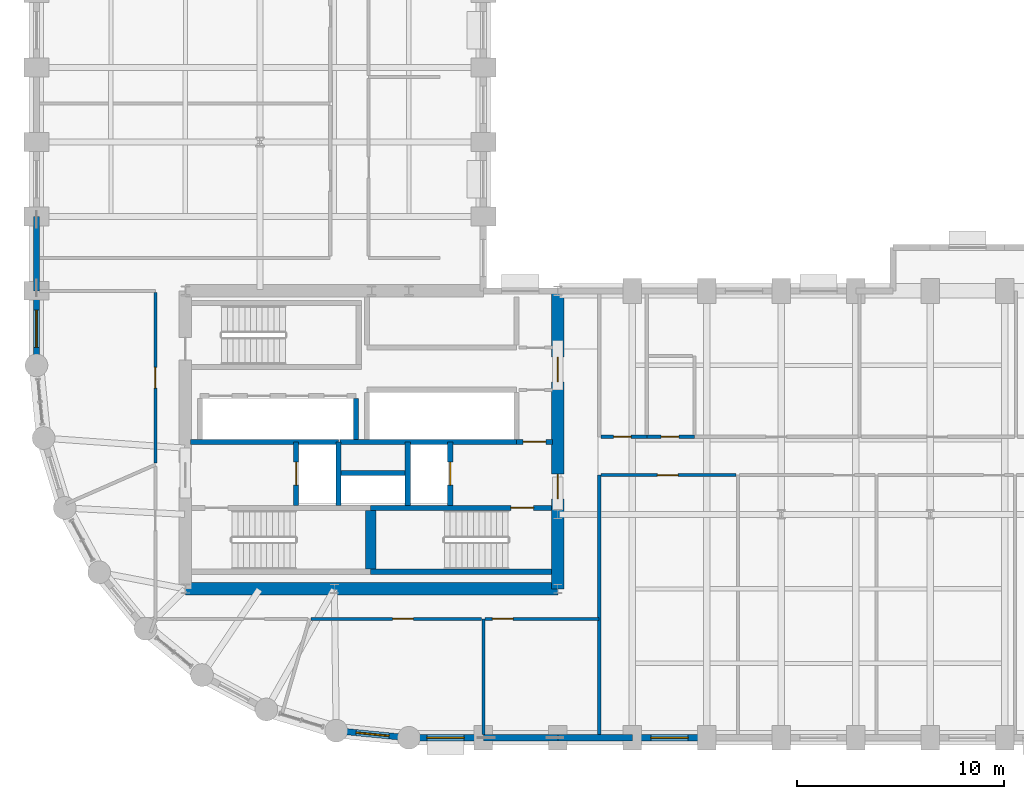
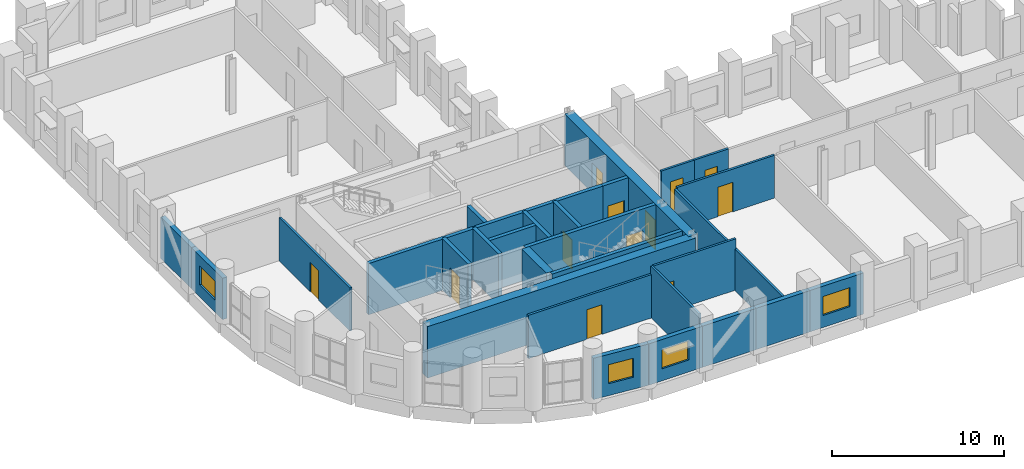
# One storey, part 8 of 13: 29 walls, 12 doors, 4 windows, 16 openings.
"""IFC4 building model written with IfcOpenShell, lengths in metres."""

from ifc_helpers import new_model, si_unit, direction, frame, frame_2d, origin, place, context, subcontext, project, spatial, rectangle, extrude, material, layer, layer_set, type_object, element, fill, save


model = new_model("IFC4")

# Units and contexts
model_context = context("Model", 3, precision=1e-05, world=origin(), true_north=direction((0.0, 1.0)))
body_context = subcontext(model_context, "Body", "Model", "MODEL_VIEW")
ifc_project = project(units=[si_unit("LENGTHUNIT", "METRE"), si_unit("AREAUNIT", "SQUARE_METRE"), si_unit("VOLUMEUNIT", "CUBIC_METRE"), si_unit("PLANEANGLEUNIT", "RADIAN"), si_unit("MASSUNIT", "GRAM", prefix="KILO")], contexts=[model_context])

# Site, building, storey
site_placement = place(None, origin())
site = spatial("IfcSite", under=ifc_project, at=site_placement, CompositionType="ELEMENT")
building_placement = place(site_placement, origin())
building = spatial("IfcBuilding", under=site, at=building_placement, Name="Solnavia Interchange Tower", CompositionType="ELEMENT")
storey_placement = place(building_placement, frame((0.0, 0.0, 39.60009765625)))
storey = spatial("IfcBuildingStorey", under=building, at=storey_placement, Name="L09", CompositionType="ELEMENT", Elevation=39.60009765625)

# Wall, opening, window
ifc_material_1 = material(Name="Concrete C40/50", Category="concrete")
ifc_layer_1 = layer(ifc_material_1, 0.300048828125)
ifc_layer_set_1 = layer_set([ifc_layer_1], Name="Concrete C40/50")
wall_type_1 = type_object("IfcWallType", Name="Wall-ExtSpandrel-300", PredefinedType="STANDARD", material=ifc_layer_set_1)
wall_1_placement = place(storey_placement, frame((28.800048828125, 3.60009765625, 0.0), z_axis=(0.0, 0.0, 1.0), x_axis=(-1.0, 0.0, 0.0)))
wall_1 = element("IfcWall", 1, at=wall_1_placement, inside=storey, type_object=wall_type_1, Name="EXW-L09-01 Exterior precast spandrel wall", PredefinedType="STANDARD", context=body_context, shape_type="SweptSolid", body=[
    extrude(rectangle(XDim=3.60009765625, YDim=0.300048828125, at=frame_2d((1.800048828125, 0.0))), origin(), (0.0, 0.0, 1.0), 2.929931640625),
])
opening_1_placement = place(wall_1_placement, frame((0.925048828125, 0.0, 0.85009765625)))
opening_1 = element("IfcOpeningElement", 2, at=opening_1_placement, cuts=wall_1, Name="Opening WIN-02", PredefinedType="OPENING", context=body_context, shape_type="SweptSolid", body=[
    extrude(rectangle(XDim=1.800048828125, YDim=1.35009765625, at=frame_2d((0.89990234375, 0.675048828125))), frame((0.0, 0.16015625, 0.0), z_axis=(0.0, -1.0, 0.0), x_axis=(1.0, 0.0, 0.0)), (0.0, 0.0, 1.0), 0.320068359375),
])
ifc_material_2 = material(Name="Thermal-Break Aluminium & Low-E Glass", Category="aluminium")
window_type_1 = type_object("IfcWindowType", Name="Window-Ribbon-1800x1350", PartitioningType="SINGLE_PANEL", PredefinedType="WINDOW", material=ifc_material_2)
window_1_placement = place(opening_1_placement, origin())
window_1 = element("IfcWindow", 3, at=window_1_placement, inside=storey, type_object=window_type_1, Name="WIN-L09-01 Facade ribbon window", OverallHeight=1.35009765625, OverallWidth=1.800048828125, PartitioningType="SINGLE_PANEL", PredefinedType="WINDOW", context=body_context, shape_type="SweptSolid", body=[
    extrude(rectangle(XDim=1.800048828125, YDim=1.35009765625, at=frame_2d((0.89990234375, 0.675048828125))), frame((0.0, 0.030029296875, 0.0), z_axis=(0.0, -1.0, 0.0), x_axis=(1.0, 0.0, 0.0)), (0.0, 0.0, 1.0), 0.06005859375),
])
fill(opening_1, window_1)

# Walls
wall_2_placement = place(storey_placement, frame((32.39990234375, 3.60009765625, 0.0), z_axis=(0.0, 0.0, 1.0), x_axis=(-1.0, 0.0, 0.0)))
element("IfcWall", 4, at=wall_2_placement, inside=storey, type_object=wall_type_1, Name="EXW-L09-02 Exterior precast spandrel wall", PredefinedType="STANDARD", context=body_context, shape_type="SweptSolid", body=[
    extrude(rectangle(XDim=3.599853515625, YDim=0.300048828125, at=frame_2d((1.7998046875, 0.0))), origin(), (0.0, 0.0, 1.0), 2.929931640625),
])
wall_3_placement = place(storey_placement, frame((36.0, 3.60009765625, 0.0), z_axis=(0.0, 0.0, 1.0), x_axis=(-1.0, 0.0, 0.0)))
element("IfcWall", 5, at=wall_3_placement, inside=storey, type_object=wall_type_1, Name="EXW-L09-03 Exterior precast spandrel wall", PredefinedType="STANDARD", context=body_context, shape_type="SweptSolid", body=[
    extrude(rectangle(XDim=3.60009765625, YDim=0.300048828125, at=frame_2d((1.800048828125, 0.0))), origin(), (0.0, 0.0, 1.0), 2.929931640625),
])

# Wall, opening, window
wall_4_placement = place(storey_placement, frame((39.60009765625, 3.60009765625, 0.0), z_axis=(0.0, 0.0, 1.0), x_axis=(-1.0, 0.0, 0.0)))
wall_4 = element("IfcWall", 6, at=wall_4_placement, inside=storey, type_object=wall_type_1, Name="EXW-L09-04 Exterior precast spandrel wall", PredefinedType="STANDARD", context=body_context, shape_type="SweptSolid", body=[
    extrude(rectangle(XDim=3.60009765625, YDim=0.300048828125, at=frame_2d((1.800048828125, 0.0))), origin(), (0.0, 0.0, 1.0), 2.929931640625),
])
opening_2_placement = place(wall_4_placement, frame((0.89990234375, 0.0, 0.85009765625)))
opening_2 = element("IfcOpeningElement", 7, at=opening_2_placement, cuts=wall_4, Name="Opening WIN-02", PredefinedType="OPENING", context=body_context, shape_type="SweptSolid", body=[
    extrude(rectangle(XDim=1.800048828125, YDim=1.35009765625, at=frame_2d((0.89990234375, 0.675048828125))), frame((0.0, 0.16015625, 0.0), z_axis=(0.0, -1.0, 0.0), x_axis=(1.0, 0.0, 0.0)), (0.0, 0.0, 1.0), 0.320068359375),
])
window_2_placement = place(opening_2_placement, origin())
window_2 = element("IfcWindow", 8, at=window_2_placement, inside=storey, type_object=window_type_1, Name="WIN-L09-04 Facade ribbon window", OverallHeight=1.35009765625, OverallWidth=1.800048828125, PartitioningType="SINGLE_PANEL", PredefinedType="WINDOW", context=body_context, shape_type="SweptSolid", body=[
    extrude(rectangle(XDim=1.800048828125, YDim=1.35009765625, at=frame_2d((0.89990234375, 0.675048828125))), frame((0.0, 0.030029296875, 0.0), z_axis=(0.0, -1.0, 0.0), x_axis=(1.0, 0.0, 0.0)), (0.0, 0.0, 1.0), 0.06005859375),
])
fill(opening_2, window_2)

# Wall
wall_5_placement = place(storey_placement, frame((7.199951171875, 25.199951171875, 0.0), z_axis=(0.0, 0.0, 1.0), x_axis=(0.0, 1.0, 0.0)))
element("IfcWall", 9, at=wall_5_placement, inside=storey, type_object=wall_type_1, Name="EXW-L09-57 Exterior precast spandrel wall", PredefinedType="STANDARD", context=body_context, shape_type="SweptSolid", body=[
    extrude(rectangle(XDim=3.60009765625, YDim=0.300048828125, at=frame_2d((1.800048828125, 0.0))), origin(), (0.0, 0.0, 1.0), 2.929931640625),
])

# Wall, opening, window
wall_6_placement = place(storey_placement, frame((7.199951171875, 21.60009765625, 0.0), z_axis=(0.0, 0.0, 1.0), x_axis=(0.0, 1.0, 0.0)))
wall_6 = element("IfcWall", 10, at=wall_6_placement, inside=storey, type_object=wall_type_1, Name="EXW-L09-58 Exterior precast spandrel wall", PredefinedType="STANDARD", context=body_context, shape_type="SweptSolid", body=[
    extrude(rectangle(XDim=3.599853515625, YDim=0.300048828125, at=frame_2d((1.7998046875, 0.0))), origin(), (0.0, 0.0, 1.0), 2.929931640625),
])
opening_3_placement = place(wall_6_placement, frame((0.875, 0.0, 0.85009765625)))
opening_3 = element("IfcOpeningElement", 11, at=opening_3_placement, cuts=wall_6, Name="Opening WIN-02", PredefinedType="OPENING", context=body_context, shape_type="SweptSolid", body=[
    extrude(rectangle(XDim=1.800048828125, YDim=1.35009765625, at=frame_2d((0.89990234375, 0.675048828125))), frame((0.0, 0.16015625, 0.0), z_axis=(0.0, -1.0, 0.0), x_axis=(1.0, 0.0, 0.0)), (0.0, 0.0, 1.0), 0.320068359375),
])
window_3_placement = place(opening_3_placement, origin())
window_3 = element("IfcWindow", 12, at=window_3_placement, inside=storey, type_object=window_type_1, Name="WIN-L09-58 Facade ribbon window", OverallHeight=1.35009765625, OverallWidth=1.800048828125, PartitioningType="SINGLE_PANEL", PredefinedType="WINDOW", context=body_context, shape_type="SweptSolid", body=[
    extrude(rectangle(XDim=1.800048828125, YDim=1.35009765625, at=frame_2d((0.89990234375, 0.675048828125))), frame((0.0, 0.030029296875, 0.0), z_axis=(0.0, -1.0, 0.0), x_axis=(1.0, 0.0, 0.0)), (0.0, 0.0, 1.0), 0.06005859375),
])
fill(opening_3, window_3)

wall_7_placement = place(storey_placement, frame((25.199951171875, 3.60009765625, 0.0), z_axis=(0.0, 0.0, 1.0), x_axis=(-0.995183369056, 0.098030923459, 0.0)))
wall_7 = element("IfcWall", 13, at=wall_7_placement, inside=storey, type_object=wall_type_1, Name="EXW-L09-66 Exterior precast spandrel wall", PredefinedType="STANDARD", context=body_context, shape_type="SweptSolid", body=[
    extrude(rectangle(XDim=3.529052734375, YDim=0.300048828125, at=frame_2d((1.7646484375, 0.0))), origin(), (0.0, 0.0, 1.0), 2.929931640625),
])
opening_4_placement = place(wall_7_placement, frame((0.965087890625, 0.0, 0.85009765625)))
opening_4 = element("IfcOpeningElement", 14, at=opening_4_placement, cuts=wall_7, Name="Opening WIN-04", PredefinedType="OPENING", context=body_context, shape_type="SweptSolid", body=[
    extrude(rectangle(XDim=1.60009765625, YDim=1.35009765625, at=frame_2d((0.800048828125, 0.675048828125))), frame((0.0, 0.16015625, 0.0), z_axis=(0.0, -1.0, 0.0), x_axis=(1.0, 0.0, 0.0)), (0.0, 0.0, 1.0), 0.320068359375),
])
window_type_2 = type_object("IfcWindowType", Name="Window-Drum-1600x1350", PartitioningType="SINGLE_PANEL", PredefinedType="WINDOW", material=ifc_material_2)
window_4_placement = place(opening_4_placement, origin())
window_4 = element("IfcWindow", 15, at=window_4_placement, inside=storey, type_object=window_type_2, Name="WIN-L09-66 Facade ribbon window", OverallHeight=1.35009765625, OverallWidth=1.60009765625, PartitioningType="SINGLE_PANEL", PredefinedType="WINDOW", context=body_context, shape_type="SweptSolid", body=[
    extrude(rectangle(XDim=1.60009765625, YDim=1.35009765625, at=frame_2d((0.800048828125, 0.675048828125))), frame((0.0, 0.030029296875, 0.0), z_axis=(0.0, -1.0, 0.0), x_axis=(1.0, 0.0, 0.0)), (0.0, 0.0, 1.0), 0.06005859375),
])
fill(opening_4, window_4)

# Wall
ifc_material_3 = material(Name="Gypsum Plasterboard & Steel Stud", Category="steel")
ifc_layer_2 = layer(ifc_material_3, 0.14990234375)
ifc_layer_set_2 = layer_set([ifc_layer_2], Name="Gypsum Plasterboard & Steel Stud")
wall_type_2 = type_object("IfcWallType", Name="Wall-Partition-150", PredefinedType="PARTITIONING", material=ifc_layer_set_2)
wall_8_placement = place(storey_placement, frame((28.800048828125, 9.35009765625, 0.0), z_axis=(0.0, 0.0, 1.0), x_axis=(0.0, -1.0, 0.0)))
element("IfcWall", 16, at=wall_8_placement, inside=storey, type_object=wall_type_2, Name="PTW-L09-08 Interior partition wall", PredefinedType="PARTITIONING", context=body_context, shape_type="SweptSolid", body=[
    extrude(rectangle(XDim=5.59619140625, YDim=0.14990234375, at=frame_2d((2.798095703125, 0.0))), origin(), (0.0, 0.0, 1.0), 3.635009765625),
])

# Wall, opening, door
wall_9_placement = place(storey_placement, frame((12.949951171875, 16.87890625, 0.0), z_axis=(0.0, 0.0, 1.0), x_axis=(0.0, 1.0, 0.0)))
wall_9 = element("IfcWall", 17, at=wall_9_placement, inside=storey, type_object=wall_type_2, Name="PTW-L09-12 Interior partition wall", PredefinedType="PARTITIONING", context=body_context, shape_type="SweptSolid", body=[
    extrude(rectangle(XDim=8.2421875, YDim=0.14990234375, at=frame_2d((4.12109375, 0.0))), origin(), (0.0, 0.0, 1.0), 3.079833984375),
])
opening_5_placement = place(wall_9_placement, frame((3.62109375, 0.0, 0.0)))
opening_5 = element("IfcOpeningElement", 18, at=opening_5_placement, cuts=wall_9, Name="Opening DR-07", PredefinedType="OPENING", context=body_context, shape_type="SweptSolid", body=[
    extrude(rectangle(XDim=1.0, YDim=2.10009765625, at=frame_2d((0.5, 1.050048828125))), frame((0.0, 0.0849609375, 0.0), z_axis=(0.0, -1.0, 0.0), x_axis=(1.0, 0.0, 0.0)), (0.0, 0.0, 1.0), 0.169921875),
])
ifc_material_4 = material(Name="Timber & Acoustic Glazed Office Door", Category="wood")
door_type_1 = type_object("IfcDoorType", Name="Door-Office-1000x2100", OperationType="SINGLE_SWING_RIGHT", PredefinedType="DOOR", material=ifc_material_4)
door_1_placement = place(opening_5_placement, origin())
door_1 = element("IfcDoor", 19, at=door_1_placement, inside=storey, type_object=door_type_1, Name="DR-L09-03 Interior room door", OperationType="SINGLE_SWING_LEFT", OverallHeight=2.10009765625, OverallWidth=1.0, PredefinedType="DOOR", context=body_context, shape_type="SweptSolid", body=[
    extrude(rectangle(XDim=1.0, YDim=2.10009765625, at=frame_2d((0.5, 1.050048828125))), frame((0.0, 0.02490234375, 0.0), z_axis=(0.0, -1.0, 0.0), x_axis=(1.0, 0.0, 0.0)), (0.0, 0.0, 1.0), 0.050048828125),
])
fill(opening_5, door_1)

wall_10_placement = place(storey_placement, frame((20.47900390625, 9.35009765625, 0.0), z_axis=(0.0, 0.0, 1.0), x_axis=(1.0, 0.0, 0.0)))
wall_10 = element("IfcWall", 20, at=wall_10_placement, inside=storey, type_object=wall_type_2, Name="PTW-L09-15 Interior partition wall", PredefinedType="PARTITIONING", context=body_context, shape_type="SweptSolid", body=[
    extrude(rectangle(XDim=8.241943359375, YDim=0.14990234375, at=frame_2d((4.12109375, 0.0))), origin(), (0.0, 0.0, 1.0), 3.079833984375),
])
opening_6_placement = place(wall_10_placement, frame((3.93896484375, 0.0, 0.0)))
opening_6 = element("IfcOpeningElement", 21, at=opening_6_placement, cuts=wall_10, Name="Opening DR-07", PredefinedType="OPENING", context=body_context, shape_type="SweptSolid", body=[
    extrude(rectangle(XDim=1.0, YDim=2.10009765625, at=frame_2d((0.5, 1.050048828125))), frame((0.0, 0.0849609375, 0.0), z_axis=(0.0, -1.0, 0.0), x_axis=(1.0, 0.0, 0.0)), (0.0, 0.0, 1.0), 0.169921875),
])
door_2_placement = place(opening_6_placement, origin())
door_2 = element("IfcDoor", 22, at=door_2_placement, inside=storey, type_object=door_type_1, Name="DR-L09-06 Interior room door", OperationType="SINGLE_SWING_RIGHT", OverallHeight=2.10009765625, OverallWidth=1.0, PredefinedType="DOOR", context=body_context, shape_type="SweptSolid", body=[
    extrude(rectangle(XDim=1.0, YDim=2.10009765625, at=frame_2d((0.5, 1.050048828125))), frame((0.0, 0.02490234375, 0.0), z_axis=(0.0, -1.0, 0.0), x_axis=(1.0, 0.0, 0.0)), (0.0, 0.0, 1.0), 0.050048828125),
])
fill(opening_6, door_2)

wall_11_placement = place(storey_placement, frame((28.87890625, 9.35009765625, 0.0), z_axis=(0.0, 0.0, 1.0), x_axis=(1.0, 0.0, 0.0)))
wall_11 = element("IfcWall", 23, at=wall_11_placement, inside=storey, type_object=wall_type_2, Name="PTW-L09-16 Interior partition wall", PredefinedType="PARTITIONING", context=body_context, shape_type="SweptSolid", body=[
    extrude(rectangle(XDim=5.52099609375, YDim=0.14990234375, at=frame_2d((2.760498046875, 0.0))), origin(), (0.0, 0.0, 1.0), 3.635009765625),
])
opening_7_placement = place(wall_11_placement, frame((0.360107421875, 0.0, 0.0)))
opening_7 = element("IfcOpeningElement", 24, at=opening_7_placement, cuts=wall_11, Name="Opening DR-07", PredefinedType="OPENING", context=body_context, shape_type="SweptSolid", body=[
    extrude(rectangle(XDim=1.0, YDim=2.10009765625, at=frame_2d((0.5, 1.050048828125))), frame((0.0, 0.0849609375, 0.0), z_axis=(0.0, -1.0, 0.0), x_axis=(1.0, 0.0, 0.0)), (0.0, 0.0, 1.0), 0.169921875),
])
door_3_placement = place(opening_7_placement, origin())
door_3 = element("IfcDoor", 25, at=door_3_placement, inside=storey, type_object=door_type_1, Name="DR-L09-07 Interior room door", OperationType="SINGLE_SWING_LEFT", OverallHeight=2.10009765625, OverallWidth=1.0, PredefinedType="DOOR", context=body_context, shape_type="SweptSolid", body=[
    extrude(rectangle(XDim=1.0, YDim=2.10009765625, at=frame_2d((0.5, 1.050048828125))), frame((0.0, 0.02490234375, 0.0), z_axis=(0.0, -1.0, 0.0), x_axis=(1.0, 0.0, 0.0)), (0.0, 0.0, 1.0), 0.050048828125),
])
fill(opening_7, door_3)

# Wall
wall_12_placement = place(storey_placement, frame((34.39990234375, 3.75390625, 0.0), z_axis=(0.0, 0.0, 1.0), x_axis=(0.0, 1.0, 0.0)))
element("IfcWall", 26, at=wall_12_placement, inside=storey, type_object=wall_type_2, Name="PTW-L09-17 Interior partition wall", PredefinedType="PARTITIONING", context=body_context, shape_type="SweptSolid", body=[
    extrude(rectangle(XDim=12.546142578125, YDim=0.14990234375, at=frame_2d((6.27294921875, 0.0))), origin(), (0.0, 0.0, 1.0), 2.929931640625),
])

# Wall, opening, door
wall_13_placement = place(storey_placement, frame((34.47900390625, 16.300048828125, 0.0), z_axis=(0.0, 0.0, 1.0), x_axis=(1.0, 0.0, 0.0)))
wall_13 = element("IfcWall", 27, at=wall_13_placement, inside=storey, type_object=wall_type_2, Name="PTW-L09-19 Interior partition wall", PredefinedType="PARTITIONING", context=body_context, shape_type="SweptSolid", body=[
    extrude(rectangle(XDim=6.5419921875, YDim=0.14990234375, at=frame_2d((3.27099609375, 0.0))), origin(), (0.0, 0.0, 1.0), 3.039794921875),
])
opening_8_placement = place(wall_13_placement, frame((2.73095703125, 0.0, 0.0)))
opening_8 = element("IfcOpeningElement", 28, at=opening_8_placement, cuts=wall_13, Name="Opening DR-07", PredefinedType="OPENING", context=body_context, shape_type="SweptSolid", body=[
    extrude(rectangle(XDim=1.0, YDim=2.10009765625, at=frame_2d((0.5, 1.050048828125))), frame((0.0, 0.0849609375, 0.0), z_axis=(0.0, -1.0, 0.0), x_axis=(1.0, 0.0, 0.0)), (0.0, 0.0, 1.0), 0.169921875),
])
door_4_placement = place(opening_8_placement, origin())
door_4 = element("IfcDoor", 29, at=door_4_placement, inside=storey, type_object=door_type_1, Name="DR-L09-08 Interior room door", OperationType="SINGLE_SWING_LEFT", OverallHeight=2.10009765625, OverallWidth=1.0, PredefinedType="DOOR", context=body_context, shape_type="SweptSolid", body=[
    extrude(rectangle(XDim=1.0, YDim=2.10009765625, at=frame_2d((0.5, 1.050048828125))), frame((0.0, 0.02490234375, 0.0), z_axis=(0.0, -1.0, 0.0), x_axis=(1.0, 0.0, 0.0)), (0.0, 0.0, 1.0), 0.050048828125),
])
fill(opening_8, door_4)

# Wall
ifc_layer_3 = layer(ifc_material_1, 0.25)
ifc_layer_set_3 = layer_set([ifc_layer_3], Name="Concrete C40/50")
wall_type_3 = type_object("IfcWallType", Name="Wall-ShaftCore-250", PredefinedType="SHEAR", material=ifc_layer_set_3)
wall_14_placement = place(storey_placement, frame((23.35009765625, 11.625, 0.0), z_axis=(0.0, 0.0, 1.0), x_axis=(1.0, 0.0, 0.0)))
element("IfcWall", 30, at=wall_14_placement, inside=storey, type_object=wall_type_3, Name="SHW-L09-ST2S Core shear wall", PredefinedType="SHEAR", context=body_context, shape_type="SweptSolid", body=[
    extrude(rectangle(XDim=8.75, YDim=0.25, at=frame_2d((4.375, 0.0))), origin(), (0.0, 0.0, 1.0), 3.64990234375),
])

# Wall, opening, door
wall_15_placement = place(storey_placement, frame((23.35009765625, 14.715087890625, 0.0), z_axis=(0.0, 0.0, 1.0), x_axis=(1.0, 0.0, 0.0)))
wall_15 = element("IfcWall", 31, at=wall_15_placement, inside=storey, type_object=wall_type_3, Name="SHW-L09-ST2N Core shear wall", PredefinedType="SHEAR", context=body_context, shape_type="SweptSolid", body=[
    extrude(rectangle(XDim=8.75, YDim=0.25, at=frame_2d((4.375, 0.0))), origin(), (0.0, 0.0, 1.0), 3.64990234375),
])
opening_9_placement = place(wall_15_placement, frame((6.77490234375, 0.0, 0.0)))
opening_9 = element("IfcOpeningElement", 32, at=opening_9_placement, cuts=wall_15, Name="Opening DR-01", PredefinedType="OPENING", context=body_context, shape_type="SweptSolid", body=[
    extrude(rectangle(XDim=1.10009765625, YDim=2.10009765625, at=frame_2d((0.550048828125, 1.050048828125))), frame((0.0, 0.135009765625, 0.0), z_axis=(0.0, -1.0, 0.0), x_axis=(1.0, 0.0, 0.0)), (0.0, 0.0, 1.0), 0.27001953125),
])
ifc_material_5 = material(Name="Steel Fire-Rated Leaf & Frame", Category="steel")
door_type_2 = type_object("IfcDoorType", Name="Door-StairFire-1100x2100", OperationType="SINGLE_SWING_LEFT", PredefinedType="DOOR", material=ifc_material_5)
door_5_placement = place(opening_9_placement, origin())
door_5 = element("IfcDoor", 33, at=door_5_placement, inside=storey, type_object=door_type_2, Name="DR-L09-ST2 Core fire door", OperationType="SINGLE_SWING_LEFT", OverallHeight=2.10009765625, OverallWidth=1.10009765625, PredefinedType="DOOR", context=body_context, shape_type="SweptSolid", body=[
    extrude(rectangle(XDim=1.10009765625, YDim=2.10009765625, at=frame_2d((0.550048828125, 1.050048828125))), frame((0.0, 0.02490234375, 0.0), z_axis=(0.0, -1.0, 0.0), x_axis=(1.0, 0.0, 0.0)), (0.0, 0.0, 1.0), 0.050048828125),
])
fill(opening_9, door_5)

# Wall
ifc_layer_4 = layer(ifc_material_1, 0.25)
ifc_layer_set_4 = layer_set([ifc_layer_4], Name="Concrete C40/50")
wall_type_4 = type_object("IfcWallType", Name="Wall-ShaftPart-250", PredefinedType="PARTITIONING", material=ifc_layer_set_4)
wall_16_placement = place(storey_placement, frame((14.64990234375, 17.89990234375, 0.0), z_axis=(0.0, 0.0, 1.0), x_axis=(1.0, 0.0, 0.0)))
element("IfcWall", 34, at=wall_16_placement, inside=storey, type_object=wall_type_4, Name="SHW-L09-FFLW-N Core shaft wall", PredefinedType="PARTITIONING", context=body_context, shape_type="SweptSolid", body=[
    extrude(rectangle(XDim=7.150146484375, YDim=0.25, at=frame_2d((3.5751953125, 0.0))), origin(), (0.0, 0.0, 1.0), 3.635009765625),
])

# Wall, opening, door
wall_17_placement = place(storey_placement, frame((19.75, 14.840087890625, 0.0), z_axis=(0.0, 0.0, 1.0), x_axis=(0.0, 1.0, 0.0)))
wall_17 = element("IfcWall", 35, at=wall_17_placement, inside=storey, type_object=wall_type_4, Name="SHW-L09-FFL1-W Core shaft wall", PredefinedType="PARTITIONING", context=body_context, shape_type="SweptSolid", body=[
    extrude(rectangle(XDim=3.059814453125, YDim=0.25, at=frame_2d((1.52978515625, 0.0))), origin(), (0.0, 0.0, 1.0), 3.635009765625),
])
opening_10_placement = place(wall_17_placement, frame((0.97998046875, 0.0, 0.0)))
opening_10 = element("IfcOpeningElement", 36, at=opening_10_placement, cuts=wall_17, Name="Opening LD-01", PredefinedType="OPENING", context=body_context, shape_type="SweptSolid", body=[
    extrude(rectangle(XDim=1.10009765625, YDim=2.10009765625, at=frame_2d((0.550048828125, 1.050048828125))), frame((0.0, 0.135009765625, 0.0), z_axis=(0.0, -1.0, 0.0), x_axis=(1.0, 0.0, 0.0)), (0.0, 0.0, 1.0), 0.27001953125),
])
ifc_material_6 = material(Name="Brushed Stainless Steel Sliding Door", Category="steel")
door_type_3 = type_object("IfcDoorType", Name="Door-LiftLanding-1100x2100", OperationType="SLIDING_TO_LEFT", PredefinedType="DOOR", material=ifc_material_6)
door_6_placement = place(opening_10_placement, origin())
door_6 = element("IfcDoor", 37, at=door_6_placement, inside=storey, type_object=door_type_3, Name="LD-L09-FFL1 Lift landing sliding door", OperationType="SLIDING_TO_LEFT", OverallHeight=2.10009765625, OverallWidth=1.10009765625, PredefinedType="DOOR", context=body_context, shape_type="SweptSolid", body=[
    extrude(rectangle(XDim=1.10009765625, YDim=2.10009765625, at=frame_2d((0.550048828125, 1.050048828125))), frame((0.0, 0.02490234375, 0.0), z_axis=(0.0, -1.0, 0.0), x_axis=(1.0, 0.0, 0.0)), (0.0, 0.0, 1.0), 0.050048828125),
])
fill(opening_10, door_6)

# Walls
wall_18_placement = place(storey_placement, frame((21.800048828125, 14.840087890625, 0.0), z_axis=(0.0, 0.0, 1.0), x_axis=(0.0, 1.0, 0.0)))
element("IfcWall", 38, at=wall_18_placement, inside=storey, type_object=wall_type_4, Name="SHW-L09-FFL1-E Core shaft wall", PredefinedType="PARTITIONING", context=body_context, shape_type="SweptSolid", body=[
    extrude(rectangle(XDim=3.059814453125, YDim=0.25, at=frame_2d((1.52978515625, 0.0))), origin(), (0.0, 0.0, 1.0), 3.635009765625),
])
wall_19_placement = place(storey_placement, frame((21.8798828125, 17.89990234375, 0.0), z_axis=(0.0, 0.0, 1.0), x_axis=(1.0, 0.0, 0.0)))
element("IfcWall", 39, at=wall_19_placement, inside=storey, type_object=wall_type_4, Name="SHW-L09-FFLE-N1 Core shaft wall", PredefinedType="PARTITIONING", context=body_context, shape_type="SweptSolid", body=[
    extrude(rectangle(XDim=8.52001953125, YDim=0.25, at=frame_2d((4.260009765625, 0.0))), origin(), (0.0, 0.0, 1.0), 3.635009765625),
])

# Wall, opening, door
wall_20_placement = place(storey_placement, frame((30.39990234375, 17.89990234375, 0.0), z_axis=(0.0, 0.0, 1.0), x_axis=(1.0, 0.0, 0.0)))
wall_20 = element("IfcWall", 40, at=wall_20_placement, inside=storey, type_object=wall_type_4, Name="SHW-L09-FFLE-N2 Core shaft wall", PredefinedType="PARTITIONING", context=body_context, shape_type="SweptSolid", body=[
    extrude(rectangle(XDim=1.75, YDim=0.25, at=frame_2d((0.875, 0.0))), origin(), (0.0, 0.0, 1.0), 3.635009765625),
])
opening_11_placement = place(wall_20_placement, frame((0.320068359375, 0.0, 0.0)))
opening_11 = element("IfcOpeningElement", 41, at=opening_11_placement, cuts=wall_20, Name="Opening DR-01", PredefinedType="OPENING", context=body_context, shape_type="SweptSolid", body=[
    extrude(rectangle(XDim=1.10009765625, YDim=2.10009765625, at=frame_2d((0.550048828125, 1.050048828125))), frame((0.0, 0.135009765625, 0.0), z_axis=(0.0, -1.0, 0.0), x_axis=(1.0, 0.0, 0.0)), (0.0, 0.0, 1.0), 0.27001953125),
])
door_7_placement = place(opening_11_placement, origin())
door_7 = element("IfcDoor", 42, at=door_7_placement, inside=storey, type_object=door_type_2, Name="DR-L09-LLC Core fire door", OperationType="SINGLE_SWING_LEFT", OverallHeight=2.10009765625, OverallWidth=1.10009765625, PredefinedType="DOOR", context=body_context, shape_type="SweptSolid", body=[
    extrude(rectangle(XDim=1.10009765625, YDim=2.10009765625, at=frame_2d((0.550048828125, 1.050048828125))), frame((0.0, 0.02490234375, 0.0), z_axis=(0.0, -1.0, 0.0), x_axis=(1.0, 0.0, 0.0)), (0.0, 0.0, 1.0), 0.050048828125),
])
fill(opening_11, door_7)

# Wall
wall_21_placement = place(storey_placement, frame((25.14990234375, 14.840087890625, 0.0), z_axis=(0.0, 0.0, 1.0), x_axis=(0.0, 1.0, 0.0)))
element("IfcWall", 43, at=wall_21_placement, inside=storey, type_object=wall_type_4, Name="SHW-L09-FFL2-W Core shaft wall", PredefinedType="PARTITIONING", context=body_context, shape_type="SweptSolid", body=[
    extrude(rectangle(XDim=3.059814453125, YDim=0.25, at=frame_2d((1.52978515625, 0.0))), origin(), (0.0, 0.0, 1.0), 3.635009765625),
])

# Wall, opening, door
wall_22_placement = place(storey_placement, frame((27.199951171875, 14.840087890625, 0.0), z_axis=(0.0, 0.0, 1.0), x_axis=(0.0, 1.0, 0.0)))
wall_22 = element("IfcWall", 44, at=wall_22_placement, inside=storey, type_object=wall_type_4, Name="SHW-L09-FFL2-E Core shaft wall", PredefinedType="PARTITIONING", context=body_context, shape_type="SweptSolid", body=[
    extrude(rectangle(XDim=3.059814453125, YDim=0.25, at=frame_2d((1.52978515625, 0.0))), origin(), (0.0, 0.0, 1.0), 3.635009765625),
])
opening_12_placement = place(wall_22_placement, frame((0.97998046875, 0.0, 0.0)))
opening_12 = element("IfcOpeningElement", 45, at=opening_12_placement, cuts=wall_22, Name="Opening LD-01", PredefinedType="OPENING", context=body_context, shape_type="SweptSolid", body=[
    extrude(rectangle(XDim=1.10009765625, YDim=2.10009765625, at=frame_2d((0.550048828125, 1.050048828125))), frame((0.0, 0.135009765625, 0.0), z_axis=(0.0, -1.0, 0.0), x_axis=(1.0, 0.0, 0.0)), (0.0, 0.0, 1.0), 0.27001953125),
])
door_8_placement = place(opening_12_placement, origin())
door_8 = element("IfcDoor", 46, at=door_8_placement, inside=storey, type_object=door_type_3, Name="LD-L09-FFL2 Lift landing sliding door", OperationType="SLIDING_TO_LEFT", OverallHeight=2.10009765625, OverallWidth=1.10009765625, PredefinedType="DOOR", context=body_context, shape_type="SweptSolid", body=[
    extrude(rectangle(XDim=1.10009765625, YDim=2.10009765625, at=frame_2d((0.550048828125, 1.050048828125))), frame((0.0, 0.02490234375, 0.0), z_axis=(0.0, -1.0, 0.0), x_axis=(1.0, 0.0, 0.0)), (0.0, 0.0, 1.0), 0.050048828125),
])
fill(opening_12, door_8)

# Walls
wall_23_placement = place(storey_placement, frame((21.800048828125, 16.39990234375, 0.0), z_axis=(0.0, 0.0, 1.0), x_axis=(1.0, 0.0, 0.0)))
element("IfcWall", 47, at=wall_23_placement, inside=storey, type_object=wall_type_4, Name="SHW-L09-MEP-N Core shaft wall", PredefinedType="PARTITIONING", context=body_context, shape_type="SweptSolid", body=[
    extrude(rectangle(XDim=3.349853515625, YDim=0.25, at=frame_2d((1.6748046875, 0.0))), origin(), (0.0, 0.0, 1.0), 3.635009765625),
])
wall_24_placement = place(storey_placement, frame((22.64990234375, 18.02490234375, 0.0), z_axis=(0.0, 0.0, 1.0), x_axis=(0.0, 1.0, 0.0)))
element("IfcWall", 48, at=wall_24_placement, inside=storey, type_object=wall_type_4, Name="SHW-L09-B1E Core shaft wall", PredefinedType="PARTITIONING", context=body_context, shape_type="SweptSolid", body=[
    extrude(rectangle(XDim=1.97509765625, YDim=0.25, at=frame_2d((0.987548828125, 0.0))), origin(), (0.0, 0.0, 1.0), 3.635009765625),
])
ifc_material_7 = material(Name="Concrete C60/75", Category="concrete")
ifc_layer_5 = layer(ifc_material_7, 0.5)
ifc_layer_set_5 = layer_set([ifc_layer_5], Name="Concrete C60/75")
wall_type_5 = type_object("IfcWallType", Name="Wall-ShearCore-500", PredefinedType="SHEAR", material=ifc_layer_set_5)
wall_25_placement = place(storey_placement, frame((23.35009765625, 11.75, 0.0), z_axis=(0.0, 0.0, 1.0), x_axis=(0.0, 1.0, 0.0)))
element("IfcWall", 49, at=wall_25_placement, inside=storey, type_object=wall_type_5, Name="SHW-L09-ST12M Core shear wall", PredefinedType="SHEAR", context=body_context, shape_type="SweptSolid", body=[
    extrude(rectangle(XDim=2.840087890625, YDim=0.5, at=frame_2d((1.419921875, 0.0))), origin(), (0.0, 0.0, 1.0), 3.64990234375),
])
ifc_layer_6 = layer(ifc_material_7, 0.60009765625)
ifc_layer_set_6 = layer_set([ifc_layer_6], Name="Concrete C60/75")
wall_type_6 = type_object("IfcWallType", Name="Wall-ShearCore-600", PredefinedType="SHEAR", material=ifc_layer_set_6)
wall_26_placement = place(storey_placement, frame((14.39990234375, 10.800048828125, 0.0), z_axis=(0.0, 0.0, 1.0), x_axis=(1.0, 0.0, 0.0)))
element("IfcWall", 50, at=wall_26_placement, inside=storey, type_object=wall_type_6, Name="CRW-L09-S Core shear wall", PredefinedType="SHEAR", context=body_context, shape_type="SweptSolid", body=[
    extrude(rectangle(XDim=18.0, YDim=0.60009765625, at=frame_2d((9.0, 0.0))), origin(), (0.0, 0.0, 1.0), 3.64990234375),
])

# Wall, openings, doors
wall_27_placement = place(storey_placement, frame((32.39990234375, 10.800048828125, 0.0), z_axis=(0.0, 0.0, 1.0), x_axis=(0.0, 1.0, 0.0)))
wall_27 = element("IfcWall", 51, at=wall_27_placement, inside=storey, type_object=wall_type_6, Name="CRW-L09-E Core shear wall", PredefinedType="SHEAR", context=body_context, shape_type="SweptSolid", body=[
    extrude(rectangle(XDim=14.39990234375, YDim=0.60009765625, at=frame_2d((7.199951171875, 0.0))), origin(), (0.0, 0.0, 1.0), 3.64990234375),
])
opening_13_placement = place(wall_27_placement, frame((4.35009765625, 0.0, 0.0)))
opening_13 = element("IfcOpeningElement", 52, at=opening_13_placement, cuts=wall_27, Name="Opening DR-02", PredefinedType="OPENING", context=body_context, shape_type="SweptSolid", body=[
    extrude(rectangle(XDim=1.199951171875, YDim=2.10009765625, at=frame_2d((0.60009765625, 1.050048828125))), frame((0.0, 0.31005859375, 0.0), z_axis=(0.0, -1.0, 0.0), x_axis=(1.0, 0.0, 0.0)), (0.0, 0.0, 1.0), 0.6201171875),
])
opening_14_placement = place(wall_27_placement, frame((10.0, 0.0, 0.0)))
opening_14 = element("IfcOpeningElement", 53, at=opening_14_placement, cuts=wall_27, Name="Opening DR-02", PredefinedType="OPENING", context=body_context, shape_type="SweptSolid", body=[
    extrude(rectangle(XDim=1.199951171875, YDim=2.10009765625, at=frame_2d((0.60009765625, 1.050048828125))), frame((0.0, 0.31005859375, 0.0), z_axis=(0.0, -1.0, 0.0), x_axis=(1.0, 0.0, 0.0)), (0.0, 0.0, 1.0), 0.6201171875),
])
ifc_material_8 = material(Name="Steel Fire-Rated Vision-Panel Door", Category="steel")
door_type_4 = type_object("IfcDoorType", Name="Door-LobbyFire-1200x2100", OperationType="SINGLE_SWING_RIGHT", PredefinedType="DOOR", material=ifc_material_8)
door_9_placement = place(opening_13_placement, origin())
door_9 = element("IfcDoor", 54, at=door_9_placement, inside=storey, type_object=door_type_4, Name="DR-L09-FFL2E Core fire door", OperationType="SINGLE_SWING_LEFT", OverallHeight=2.10009765625, OverallWidth=1.199951171875, PredefinedType="DOOR", context=body_context, shape_type="SweptSolid", body=[
    extrude(rectangle(XDim=1.199951171875, YDim=2.10009765625, at=frame_2d((0.60009765625, 1.050048828125))), frame((0.0, 0.02490234375, 0.0), z_axis=(0.0, -1.0, 0.0), x_axis=(1.0, 0.0, 0.0)), (0.0, 0.0, 1.0), 0.050048828125),
])
fill(opening_13, door_9)
door_10_placement = place(opening_14_placement, origin())
door_10 = element("IfcDoor", 55, at=door_10_placement, inside=storey, type_object=door_type_4, Name="DR-L09-LLE Core fire door", OperationType="SINGLE_SWING_RIGHT", OverallHeight=2.10009765625, OverallWidth=1.199951171875, PredefinedType="DOOR", context=body_context, shape_type="SweptSolid", body=[
    extrude(rectangle(XDim=1.199951171875, YDim=2.10009765625, at=frame_2d((0.60009765625, 1.050048828125))), frame((0.0, 0.02490234375, 0.0), z_axis=(0.0, -1.0, 0.0), x_axis=(1.0, 0.0, 0.0)), (0.0, 0.0, 1.0), 0.050048828125),
])
fill(opening_14, door_10)

# Wall, opening, door
ifc_material_9 = material(Name="Moisture-Resistant Gypsum & Steel Stud", Category="steel")
ifc_layer_7 = layer(ifc_material_9, 0.14990234375)
ifc_layer_set_7 = layer_set([ifc_layer_7], Name="Moisture-Resistant Gypsum & Steel Stud")
wall_type_7 = type_object("IfcWallType", Name="Wall-WetRoom-150", PredefinedType="PARTITIONING", material=ifc_layer_set_7)
wall_28_placement = place(storey_placement, frame((34.47900390625, 18.14990234375, 0.0), z_axis=(0.0, 0.0, 1.0), x_axis=(1.0, 0.0, 0.0)))
wall_28 = element("IfcWall", 56, at=wall_28_placement, inside=storey, type_object=wall_type_7, Name="PTW-L09-02 Interior partition wall", PredefinedType="PARTITIONING", context=body_context, shape_type="SweptSolid", body=[
    extrude(rectangle(XDim=2.220947265625, YDim=0.14990234375, at=frame_2d((1.1103515625, 0.0))), origin(), (0.0, 0.0, 1.0), 3.079833984375),
])
opening_15_placement = place(wall_28_placement, frame((0.617919921875, 0.0, 0.0)))
opening_15 = element("IfcOpeningElement", 57, at=opening_15_placement, cuts=wall_28, Name="Opening DR-10", PredefinedType="OPENING", context=body_context, shape_type="SweptSolid", body=[
    extrude(rectangle(XDim=0.85009765625, YDim=2.10009765625, at=frame_2d((0.425048828125, 1.050048828125))), frame((0.0, 0.0849609375, 0.0), z_axis=(0.0, -1.0, 0.0), x_axis=(1.0, 0.0, 0.0)), (0.0, 0.0, 1.0), 0.169921875),
])
ifc_material_10 = material(Name="Moisture-Resistant Timber Door", Category="wood")
door_type_5 = type_object("IfcDoorType", Name="Door-Bathroom-850x2100", OperationType="SINGLE_SWING_RIGHT", PredefinedType="DOOR", material=ifc_material_10)
door_11_placement = place(opening_15_placement, origin())
door_11 = element("IfcDoor", 58, at=door_11_placement, inside=storey, type_object=door_type_5, Name="DR-L09-01 Interior room door", OperationType="SINGLE_SWING_LEFT", OverallHeight=2.10009765625, OverallWidth=0.85009765625, PredefinedType="DOOR", context=body_context, shape_type="SweptSolid", body=[
    extrude(rectangle(XDim=0.85009765625, YDim=2.10009765625, at=frame_2d((0.425048828125, 1.050048828125))), frame((0.0, 0.02490234375, 0.0), z_axis=(0.0, -1.0, 0.0), x_axis=(1.0, 0.0, 0.0)), (0.0, 0.0, 1.0), 0.050048828125),
])
fill(opening_15, door_11)

wall_29_placement = place(storey_placement, frame((36.699951171875, 18.14990234375, 0.0), z_axis=(0.0, 0.0, 1.0), x_axis=(1.0, 0.0, 0.0)))
wall_29 = element("IfcWall", 59, at=wall_29_placement, inside=storey, type_object=wall_type_7, Name="PTW-L09-04 Interior partition wall", PredefinedType="PARTITIONING", context=body_context, shape_type="SweptSolid", body=[
    extrude(rectangle(XDim=2.300048828125, YDim=0.14990234375, at=frame_2d((1.14990234375, 0.0))), origin(), (0.0, 0.0, 1.0), 3.079833984375),
])
opening_16_placement = place(wall_29_placement, frame((0.697021484375, 0.0, 0.0)))
opening_16 = element("IfcOpeningElement", 60, at=opening_16_placement, cuts=wall_29, Name="Opening DR-10", PredefinedType="OPENING", context=body_context, shape_type="SweptSolid", body=[
    extrude(rectangle(XDim=0.85009765625, YDim=2.10009765625, at=frame_2d((0.425048828125, 1.050048828125))), frame((0.0, 0.0849609375, 0.0), z_axis=(0.0, -1.0, 0.0), x_axis=(1.0, 0.0, 0.0)), (0.0, 0.0, 1.0), 0.169921875),
])
door_12_placement = place(opening_16_placement, origin())
door_12 = element("IfcDoor", 61, at=door_12_placement, inside=storey, type_object=door_type_5, Name="DR-L09-02 Interior room door", OperationType="SINGLE_SWING_RIGHT", OverallHeight=2.10009765625, OverallWidth=0.85009765625, PredefinedType="DOOR", context=body_context, shape_type="SweptSolid", body=[
    extrude(rectangle(XDim=0.85009765625, YDim=2.10009765625, at=frame_2d((0.425048828125, 1.050048828125))), frame((0.0, 0.02490234375, 0.0), z_axis=(0.0, -1.0, 0.0), x_axis=(1.0, 0.0, 0.0)), (0.0, 0.0, 1.0), 0.050048828125),
])
fill(opening_16, door_12)

save(model, "model.ifc")
